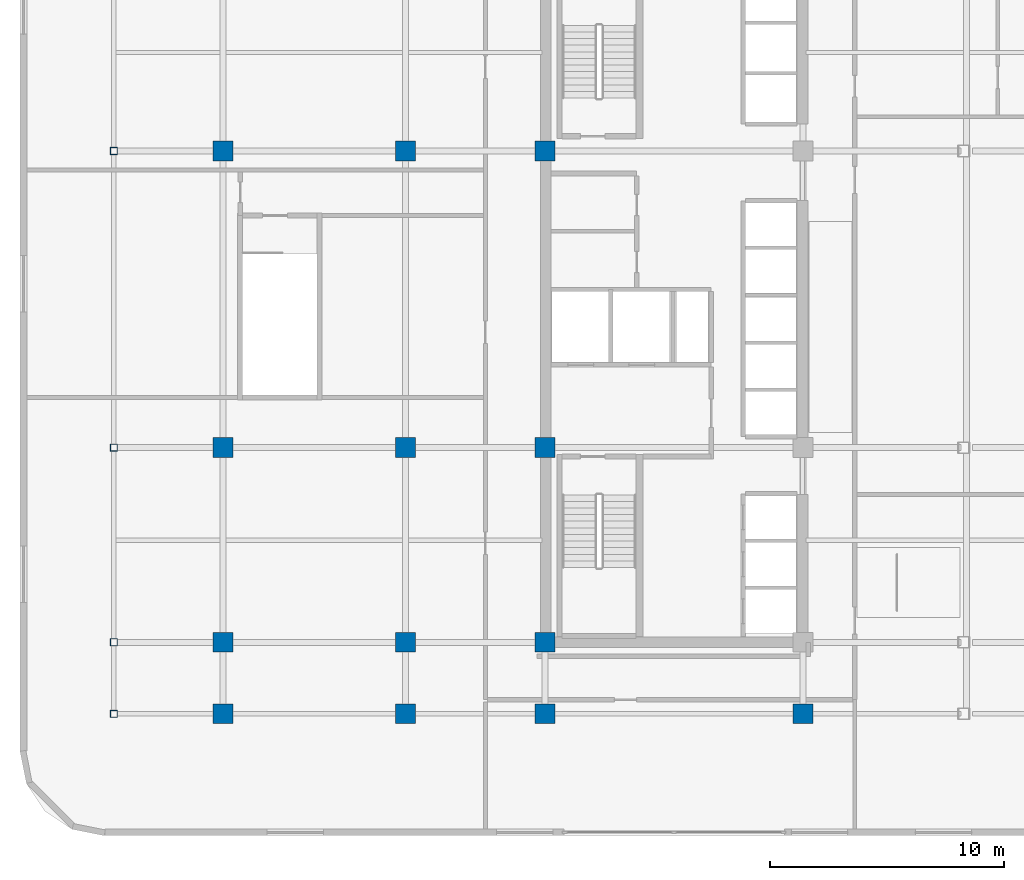
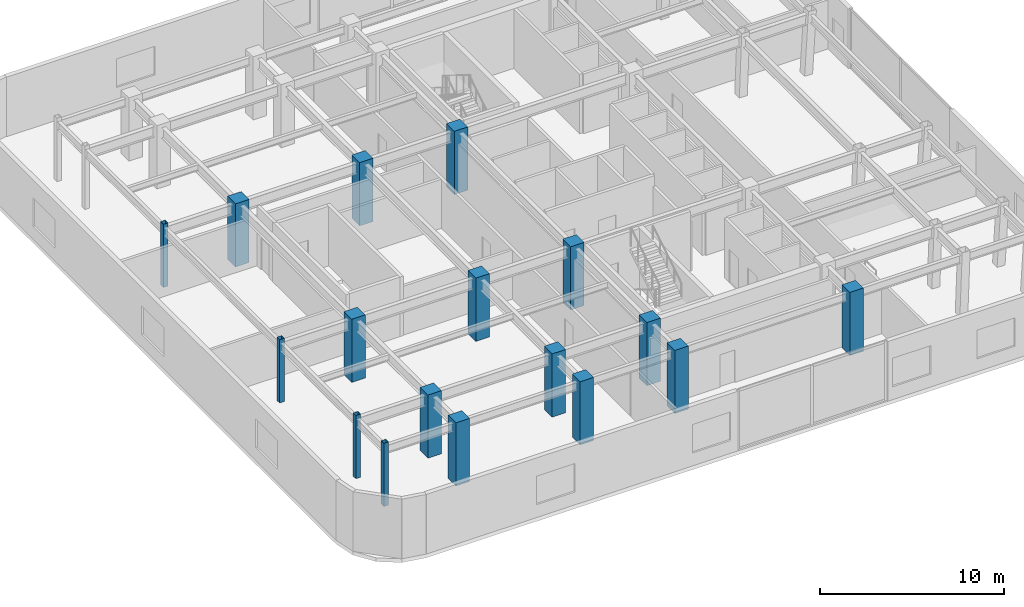
# One storey, part 1 of 13: 17 columns.
"""IFC4 building model written with IfcOpenShell, lengths in metres."""

from ifc_helpers import new_model, si_unit, direction, frame, origin, origin_2d, place, context, subcontext, project, spatial, rectangle, hollow_rectangle, extrude, material, material_profile, profile_set, type_object, element, save


model = new_model("IFC4")

# Units and contexts
model_context = context("Model", 3, precision=1e-05, world=origin(), true_north=direction((0.0, 1.0)))
body_context = subcontext(model_context, "Body", "Model", "MODEL_VIEW")
ifc_project = project(units=[si_unit("LENGTHUNIT", "METRE"), si_unit("AREAUNIT", "SQUARE_METRE"), si_unit("VOLUMEUNIT", "CUBIC_METRE"), si_unit("PLANEANGLEUNIT", "RADIAN"), si_unit("MASSUNIT", "GRAM", prefix="KILO")], contexts=[model_context])

# Site, building, storey
site_placement = place(None, origin())
site = spatial("IfcSite", under=ifc_project, at=site_placement, CompositionType="ELEMENT")
building_placement = place(site_placement, origin())
building = spatial("IfcBuilding", under=site, at=building_placement, Name="Ochreholt Gables", CompositionType="ELEMENT")
storey_placement = place(building_placement, frame((0.0, 0.0, 60.0)))
storey = spatial("IfcBuildingStorey", under=building, at=storey_placement, Name="L15", CompositionType="ELEMENT", Elevation=60.0)

# Columns
ifc_material_1 = material(Name="Steel CSA G40.21 350W", Category="steel")
ifc_material_profile_1 = material_profile(ifc_material_1, hollow_rectangle(XDim=0.304931640625, YDim=0.304931640625, WallThickness=0.0126953125, at=origin_2d()), Name="HSS305X305X13")
ifc_profile_set_1 = profile_set([ifc_material_profile_1], Name="Steel CSA G40.21 350W")
column_type_1 = type_object("IfcColumnType", Name="COL-HSS305-EXT", PredefinedType="COLUMN", material=ifc_profile_set_1)
for number, where, z_axis, x_axis, name in (
    (1, (5.800048828125, 6.199951171875, 0.0), (0.0, 0.0, 1.0), (1.0, 0.0, 0.0), "L15 Column WTY1"),
    (2, (5.800048828125, 9.25, 0.0), (0.0, 0.0, 1.0), (1.0, 0.0, 0.0), "L15 Column WTY2"),
    (3, (5.800048828125, 17.550048828125, 0.0), (0.0, 0.0, 1.0), (1.0, 0.0, 0.0), "L15 Column WTY3"),
    (4, (5.800048828125, 30.199951171875, 0.0), (0.0, 0.0, 1.0), (1.0, 0.0, 0.0), "L15 Column WTY4"),
):
    element("IfcColumn", number, at=place(storey_placement, frame(where, z_axis=z_axis, x_axis=x_axis)), inside=storey, type_object=column_type_1, Name=name, PredefinedType="COLUMN", context=body_context, shape_type="SweptSolid", body=[
        extrude(hollow_rectangle(XDim=0.304931640625, YDim=0.304931640625, WallThickness=0.0126953125, at=origin_2d()), origin(), (0.0, 0.0, 1.0), 4.199951171875),
    ])
ifc_material_2 = material(Name="Concrete 60 MPa", Category="concrete")
ifc_material_profile_2 = material_profile(ifc_material_2, rectangle(XDim=0.85009765625, YDim=0.85009765625, at=origin_2d()), Name="RC850X850")
ifc_profile_set_2 = profile_set([ifc_material_profile_2], Name="Concrete 60 MPa")
column_type_2 = type_object("IfcColumnType", Name="COL-RC850-EXT", PredefinedType="COLUMN", material=ifc_profile_set_2)
for number, where, z_axis, x_axis, name in (
    (5, (10.449951171875, 6.199951171875, 0.0), (0.0, 0.0, 1.0), (1.0, 0.0, 0.0), "L15 Column W2Y1"),
    (6, (18.25, 6.199951171875, 0.0), (0.0, 0.0, 1.0), (1.0, 0.0, 0.0), "L15 Column W3Y1"),
    (7, (24.199951171875, 6.199951171875, 0.0), (0.0, 0.0, 1.0), (1.0, 0.0, 0.0), "L15 Column C1Y1"),
    (8, (35.199951171875, 6.199951171875, 0.0), (0.0, 0.0, 1.0), (1.0, 0.0, 0.0), "L15 Column C2Y1"),
):
    element("IfcColumn", number, at=place(storey_placement, frame(where, z_axis=z_axis, x_axis=x_axis)), inside=storey, type_object=column_type_2, Name=name, PredefinedType="COLUMN", context=body_context, shape_type="SweptSolid", body=[
        extrude(rectangle(XDim=0.85009765625, YDim=0.85009765625, at=origin_2d()), origin(), (0.0, 0.0, 1.0), 4.199951171875),
    ])
ifc_material_profile_3 = material_profile(ifc_material_2, rectangle(XDim=0.85009765625, YDim=0.85009765625, at=origin_2d()), Name="RC850X850")
ifc_profile_set_3 = profile_set([ifc_material_profile_3], Name="Concrete 60 MPa")
column_type_3 = type_object("IfcColumnType", Name="COL-RC850-INT", PredefinedType="COLUMN", material=ifc_profile_set_3)
for number, where, z_axis, x_axis, name in (
    (9, (10.449951171875, 9.25, 0.0), (0.0, 0.0, 1.0), (1.0, 0.0, 0.0), "L15 Column W2Y2"),
    (10, (10.449951171875, 17.550048828125, 0.0), (0.0, 0.0, 1.0), (1.0, 0.0, 0.0), "L15 Column W2Y3"),
    (11, (10.449951171875, 30.199951171875, 0.0), (0.0, 0.0, 1.0), (1.0, 0.0, 0.0), "L15 Column W2Y4"),
    (12, (18.25, 9.25, 0.0), (0.0, 0.0, 1.0), (1.0, 0.0, 0.0), "L15 Column W3Y2"),
    (13, (18.25, 17.550048828125, 0.0), (0.0, 0.0, 1.0), (1.0, 0.0, 0.0), "L15 Column W3Y3"),
    (14, (18.25, 30.199951171875, 0.0), (0.0, 0.0, 1.0), (1.0, 0.0, 0.0), "L15 Column W3Y4"),
    (15, (24.199951171875, 9.25, 0.0), (0.0, 0.0, 1.0), (1.0, 0.0, 0.0), "L15 Column C1Y2"),
    (16, (24.199951171875, 17.550048828125, 0.0), (0.0, 0.0, 1.0), (1.0, 0.0, 0.0), "L15 Column C1Y3"),
    (17, (24.199951171875, 30.199951171875, 0.0), (0.0, 0.0, 1.0), (1.0, 0.0, 0.0), "L15 Column C1Y4"),
):
    element("IfcColumn", number, at=place(storey_placement, frame(where, z_axis=z_axis, x_axis=x_axis)), inside=storey, type_object=column_type_3, Name=name, PredefinedType="COLUMN", context=body_context, shape_type="SweptSolid", body=[
        extrude(rectangle(XDim=0.85009765625, YDim=0.85009765625, at=origin_2d()), origin(), (0.0, 0.0, 1.0), 4.199951171875),
    ])

save(model, "model.ifc")
